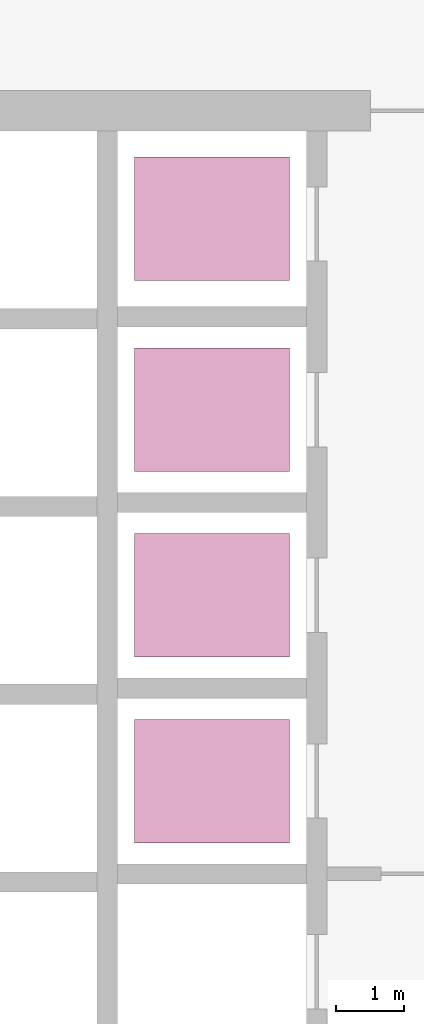
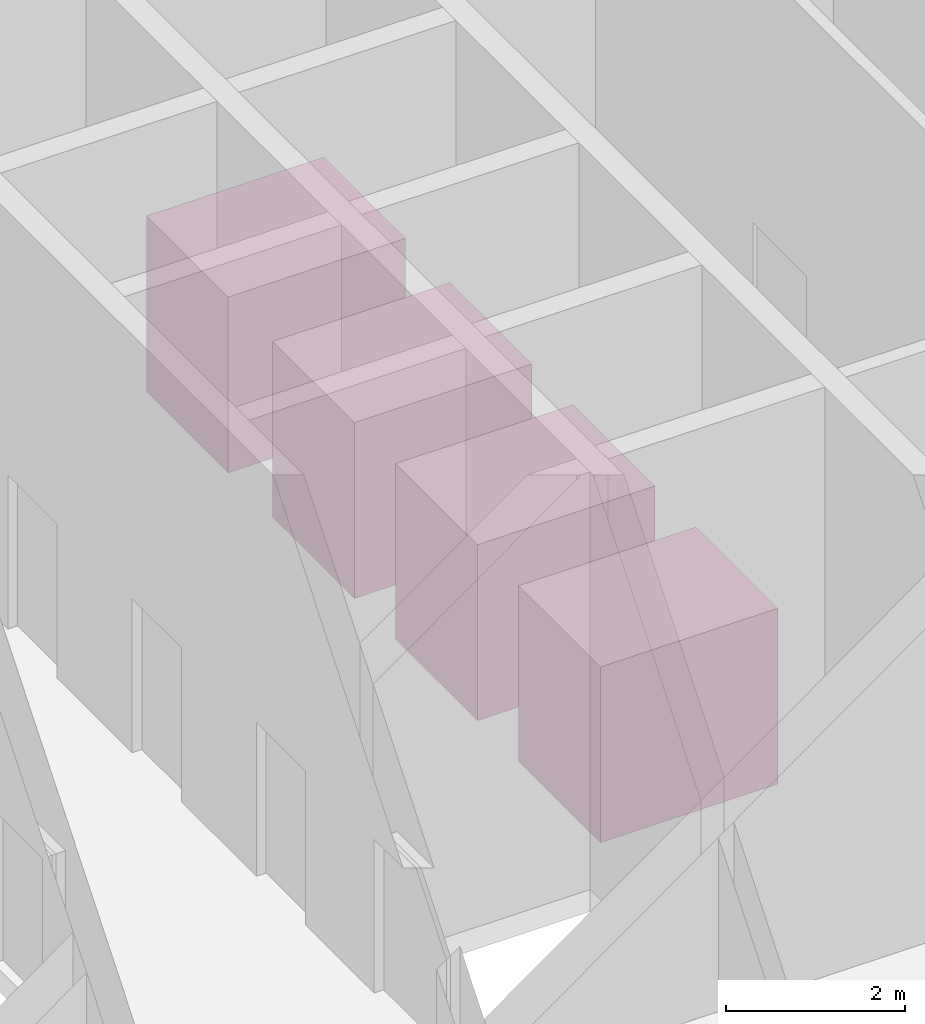
# One storey, part 16 of 16: 4 transport elements.
"""IFC4 building model written with IfcOpenShell, lengths in metres."""

from ifc_helpers import new_model, si_unit, direction, frame, origin, origin_2d, place, context, subcontext, project, spatial, rectangle, extrude, material, type_object, element, save


model = new_model("IFC4")

# Units and contexts
model_context = context("Model", 3, precision=1e-05, world=origin(), true_north=direction((0.0, 1.0)))
body_context = subcontext(model_context, "Body", "Model", "MODEL_VIEW")
ifc_project = project(units=[si_unit("LENGTHUNIT", "METRE"), si_unit("AREAUNIT", "SQUARE_METRE"), si_unit("VOLUMEUNIT", "CUBIC_METRE"), si_unit("PLANEANGLEUNIT", "RADIAN"), si_unit("MASSUNIT", "GRAM", prefix="KILO")], contexts=[model_context])

# Site, building, storey
site_placement = place(None, origin())
site = spatial("IfcSite", under=ifc_project, at=site_placement, CompositionType="ELEMENT")
building_placement = place(site_placement, origin())
building = spatial("IfcBuilding", under=site, at=building_placement, Name="Finial Court Residences", CompositionType="ELEMENT")
storey_placement = place(building_placement, frame((0.0, 0.0, 127.89990234375)))
storey = spatial("IfcBuildingStorey", under=building, at=storey_placement, Name="L32", CompositionType="ELEMENT", Elevation=127.89990234375)

# Transport elements
ifc_material = material(Name="Stainless steel lift car", Category="steel")
transport_element_type = type_object("IfcTransportElementType", Name="Passenger lift car 1830 x 2290", PredefinedType="ELEVATOR", material=ifc_material)
for number, where, z_axis, x_axis, name in (
    (1, (1.550048828125, -18.125, 0.000244140625), (0.0, 0.0, 1.0), (1.0, 0.0, 0.0), "Lift HR1 (mid-rise)"),
    (2, (1.550048828125, -15.375, 0.000244140625), (0.0, 0.0, 1.0), (1.0, 0.0, 0.0), "Lift HR2 (mid-rise)"),
    (3, (1.550048828125, -12.625, 0.000244140625), (0.0, 0.0, 1.0), (1.0, 0.0, 0.0), "Lift HR3 (mid-rise)"),
    (4, (1.550048828125, -9.800048828125, 0.000244140625), (0.0, 0.0, 1.0), (1.0, 0.0, 0.0), "Lift HR4 (mid-rise)"),
):
    element("IfcTransportElement", number, at=place(storey_placement, frame(where, z_axis=z_axis, x_axis=x_axis)), inside=storey, type_object=transport_element_type, Name=name, PredefinedType="ELEVATOR", context=body_context, shape_type="SweptSolid", body=[
        extrude(rectangle(XDim=2.2900390625, YDim=1.830078125, at=origin_2d()), origin(), (0.0, 0.0, 1.0), 2.39990234375),
    ])

save(model, "model.ifc")
